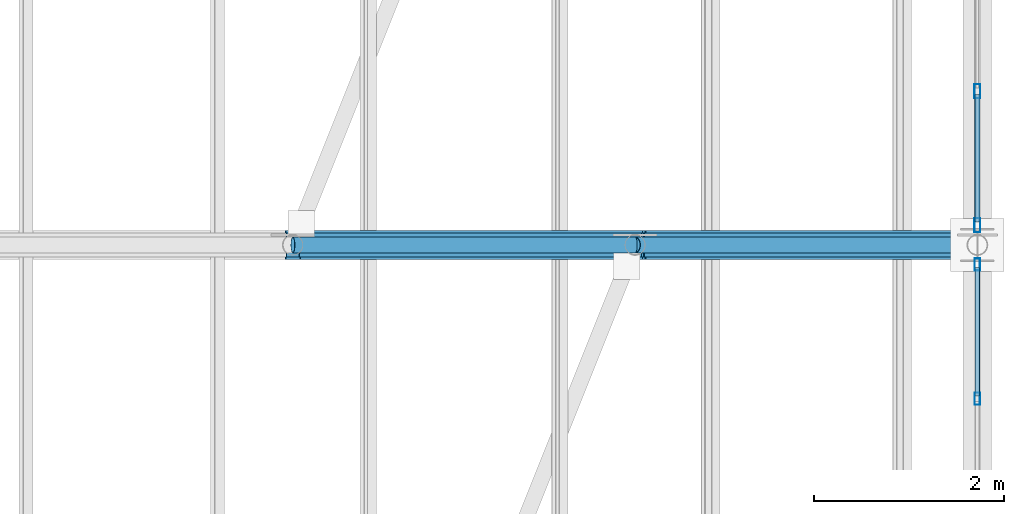
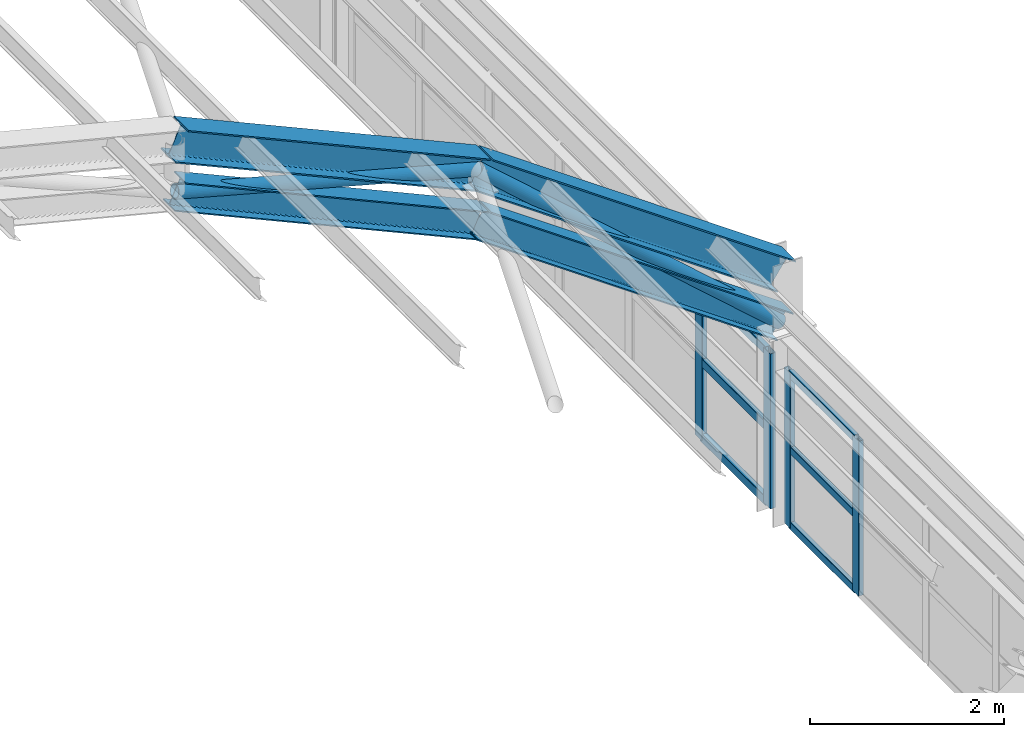
# One storey, part 42 of 121: 14 members, 2 beams, 2 elements without a shape of their own.
"""IFC4 building model written with IfcOpenShell, lengths in metres."""

from ifc_helpers import new_model, si_unit, direction, frame, origin, origin_2d, place, context, subcontext, project, spatial, hollow_rectangle, hollow_circle, i_section, extrude, material, material_profile, profile_set, type_object, element, aggregate, save


model = new_model("IFC4")

# Units and contexts
model_context = context("Model", 3, precision=1e-05, world=origin(), true_north=direction((0.0, 1.0)))
body_context = subcontext(model_context, "Body", "Model", "MODEL_VIEW")
ifc_project = project(units=[si_unit("LENGTHUNIT", "METRE"), si_unit("AREAUNIT", "SQUARE_METRE"), si_unit("VOLUMEUNIT", "CUBIC_METRE"), si_unit("PLANEANGLEUNIT", "RADIAN"), si_unit("MASSUNIT", "GRAM", prefix="KILO")], contexts=[model_context])

# Site, building, storey
site_placement = place(None, origin())
site = spatial("IfcSite", under=ifc_project, at=site_placement, CompositionType="ELEMENT")
building_placement = place(site_placement, origin())
building = spatial("IfcBuilding", under=site, at=building_placement, Name="Canglan Escarpment Cableway Terminal", CompositionType="ELEMENT")
storey_placement = place(building_placement, frame((0.0, 0.0, 24.60009765625)))
storey = spatial("IfcBuildingStorey", under=building, at=storey_placement, Name="L05", CompositionType="ELEMENT", Elevation=24.60009765625)

# Beams
ifc_material_1 = material(Name="Steel Q355B", Category="steel")
ifc_material_profile_1 = material_profile(ifc_material_1, i_section(OverallWidth=0.300048828125, OverallDepth=0.389892578125, WebThickness=0.010009765625, FlangeThickness=0.01611328125, FilletRadius=0.02197265625, at=origin_2d()), Name="HM 390x300x10x16")
ifc_profile_set_1 = profile_set([ifc_material_profile_1], Name="Steel Q355B")
beam_type = type_object("IfcBeamType", Name="BM-ARCH-TOP-HM390", PredefinedType="BEAM", material=ifc_profile_set_1)
beam_1_placement = place(storey_placement, frame((159.199951171875, 61.0, 7.23828125), z_axis=(0.911752518833, 0.0, -0.410739996108), x_axis=(0.0, 1.0, 0.0)))
element("IfcBeam", 1, at=beam_1_placement, inside=storey, type_object=beam_type, Name="Vault ROOF TRUSS arch top chord AR-TC1", PredefinedType="BEAM", context=body_context, shape_type="SweptSolid", body=[
    extrude(i_section(OverallWidth=0.300048828125, OverallDepth=0.389892578125, WebThickness=0.010009765625, FlangeThickness=0.01611328125, FilletRadius=0.02197265625, at=origin_2d()), origin(), (0.0, 0.0, 1.0), 3.948486328125),
])
beam_2_placement = place(storey_placement, frame((162.800048828125, 61.0, 5.616455078125), z_axis=(0.817731009495, 0.0, -0.575600552563), x_axis=(0.0, 1.0, 0.0)))
element("IfcBeam", 2, at=beam_2_placement, inside=storey, type_object=beam_type, Name="Vault ROOF TRUSS arch top chord AR-TC1", PredefinedType="BEAM", context=body_context, shape_type="SweptSolid", body=[
    extrude(i_section(OverallWidth=0.300048828125, OverallDepth=0.389892578125, WebThickness=0.010009765625, FlangeThickness=0.01611328125, FilletRadius=0.02197265625, at=origin_2d()), origin(), (0.0, 0.0, 1.0), 4.40234375),
])

# Curtain wall, members
ifc_material_2 = material(Name="Anodized bronze aluminium and Low-E double glazing", Category="aluminium")
curtain_wall_type = type_object("IfcCurtainWallType", Name="CW-BAY-8650x1950", PredefinedType="NOTDEFINED", material=ifc_material_2)
curtain_wall_1_placement = place(storey_placement, origin())
curtain_wall_1 = element("IfcCurtainWall", 3, at=curtain_wall_1_placement, inside=storey, type_object=curtain_wall_type, Name="Classical bay-between-piers glazed curtain wall CW-66", PredefinedType="NOTDEFINED")
ifc_material_3 = material(Name="Thermally broken anodized aluminium 6063-T6", Category="aluminium")
ifc_material_profile_2 = material_profile(ifc_material_3, hollow_rectangle(XDim=0.06005859375, YDim=0.1298828125, WallThickness=0.0029296875, InnerFilletRadius=0.0029296875, OuterFilletRadius=0.006103515625, at=origin_2d()), Name="ALU-MULL 60x130x3")
ifc_profile_set_2 = profile_set([ifc_material_profile_2], Name="Thermally broken anodized aluminium 6063-T6")
member_type_1 = type_object("IfcMemberType", Name="CWM-01", PredefinedType="MULLION", material=ifc_profile_set_2)
member_1_placement = place(storey_placement, frame((166.39990234375, 59.38330078125, 0.0), z_axis=(0.0, 0.0, 1.0), x_axis=(-1.0, 0.0, 0.0)))
member_1 = element("IfcMember", 4, at=member_1_placement, type_object=member_type_1, Name="CW-66 mullion 6", PredefinedType="MULLION", context=body_context, shape_type="SweptSolid", body=[
    extrude(hollow_rectangle(XDim=0.06005859375, YDim=0.1298828125, WallThickness=0.0029296875, InnerFilletRadius=0.0029296875, OuterFilletRadius=0.006103515625, at=origin_2d()), origin(), (0.0, 0.0, 1.0), 1.949951171875),
])
member_2_placement = place(storey_placement, frame((166.39990234375, 60.794921875, 0.0), z_axis=(0.0, 0.0, 1.0), x_axis=(-1.0, 0.0, 0.0)))
member_2 = element("IfcMember", 5, at=member_2_placement, type_object=member_type_1, Name="CW-66 mullion 7", PredefinedType="MULLION", context=body_context, shape_type="SweptSolid", body=[
    extrude(hollow_rectangle(XDim=0.06005859375, YDim=0.1298828125, WallThickness=0.0029296875, InnerFilletRadius=0.0029296875, OuterFilletRadius=0.006103515625, at=origin_2d()), origin(), (0.0, 0.0, 1.0), 1.949951171875),
])

curtain_wall_2_placement = place(storey_placement, origin())
curtain_wall_2 = element("IfcCurtainWall", 6, at=curtain_wall_2_placement, inside=storey, type_object=curtain_wall_type, Name="Classical bay-between-piers glazed curtain wall CW-66", PredefinedType="NOTDEFINED")
ifc_material_profile_3 = material_profile(ifc_material_3, hollow_rectangle(XDim=0.06494140625, YDim=0.14990234375, WallThickness=0.00341796875, InnerFilletRadius=0.00341796875, OuterFilletRadius=0.007080078125, at=origin_2d()), Name="ALU-MULL 65x150x3.5")
ifc_profile_set_3 = profile_set([ifc_material_profile_3], Name="Thermally broken anodized aluminium 6063-T6")
member_type_2 = type_object("IfcMemberType", Name="CWM-02", PredefinedType="MULLION", material=ifc_profile_set_3)
member_3_placement = place(storey_placement, frame((166.39990234375, 61.20751953125, 0.0), z_axis=(0.0, 0.0, 1.0), x_axis=(-1.0, 0.0, 0.0)))
member_3 = element("IfcMember", 7, at=member_3_placement, type_object=member_type_2, Name="CW-66 mullion 1", PredefinedType="MULLION", context=body_context, shape_type="SweptSolid", body=[
    extrude(hollow_rectangle(XDim=0.06494140625, YDim=0.14990234375, WallThickness=0.00341796875, InnerFilletRadius=0.00341796875, OuterFilletRadius=0.007080078125, at=origin_2d()), origin(), (0.0, 0.0, 1.0), 1.949951171875),
])
member_4_placement = place(storey_placement, frame((166.39990234375, 62.61669921875, 0.0), z_axis=(0.0, 0.0, 1.0), x_axis=(-1.0, 0.0, 0.0)))
member_4 = element("IfcMember", 8, at=member_4_placement, type_object=member_type_2, Name="CW-66 mullion 2", PredefinedType="MULLION", context=body_context, shape_type="SweptSolid", body=[
    extrude(hollow_rectangle(XDim=0.06494140625, YDim=0.14990234375, WallThickness=0.00341796875, InnerFilletRadius=0.00341796875, OuterFilletRadius=0.007080078125, at=origin_2d()), origin(), (0.0, 0.0, 1.0), 1.949951171875),
])

# Member
ifc_material_profile_4 = material_profile(ifc_material_3, hollow_rectangle(XDim=0.054931640625, YDim=0.094970703125, WallThickness=0.0029296875, InnerFilletRadius=0.0029296875, OuterFilletRadius=0.006103515625, at=origin_2d()), Name="ALU-TRAN 55x95x3")
ifc_profile_set_4 = profile_set([ifc_material_profile_4], Name="Thermally broken anodized aluminium 6063-T6")
member_type_3 = type_object("IfcMemberType", Name="CWT-01", PredefinedType="USERDEFINED", material=ifc_profile_set_4)
member_5_placement = place(storey_placement, frame((166.39990234375, 59.413330078125, 0.02734375), z_axis=(0.0, 1.0, 0.0), x_axis=(-1.0, 0.0, 0.0)))
member_5 = element("IfcMember", 9, at=member_5_placement, type_object=member_type_3, Name="CW-66 transom 6.1", ObjectType="TRANSOM", PredefinedType="USERDEFINED", context=body_context, shape_type="SweptSolid", body=[
    extrude(hollow_rectangle(XDim=0.054931640625, YDim=0.094970703125, WallThickness=0.0029296875, InnerFilletRadius=0.0029296875, OuterFilletRadius=0.006103515625, at=origin_2d()), origin(), (0.0, 0.0, 1.0), 1.3515625),
])

member_6_placement = place(storey_placement, frame((166.39990234375, 59.413330078125, 0.974853515625), z_axis=(0.0, 1.0, 0.0), x_axis=(-1.0, 0.0, 0.0)))
member_6 = element("IfcMember", 10, at=member_6_placement, type_object=member_type_3, Name="CW-66 transom 6.2", ObjectType="TRANSOM", PredefinedType="USERDEFINED", context=body_context, shape_type="SweptSolid", body=[
    extrude(hollow_rectangle(XDim=0.054931640625, YDim=0.094970703125, WallThickness=0.0029296875, InnerFilletRadius=0.0029296875, OuterFilletRadius=0.006103515625, at=origin_2d()), origin(), (0.0, 0.0, 1.0), 1.3515625),
])

member_7_placement = place(storey_placement, frame((166.39990234375, 59.413330078125, 1.92236328125), z_axis=(0.0, 1.0, 0.0), x_axis=(-1.0, 0.0, 0.0)))
member_7 = element("IfcMember", 11, at=member_7_placement, type_object=member_type_3, Name="CW-66 transom 6.3", ObjectType="TRANSOM", PredefinedType="USERDEFINED", context=body_context, shape_type="SweptSolid", body=[
    extrude(hollow_rectangle(XDim=0.054931640625, YDim=0.094970703125, WallThickness=0.0029296875, InnerFilletRadius=0.0029296875, OuterFilletRadius=0.006103515625, at=origin_2d()), origin(), (0.0, 0.0, 1.0), 1.3515625),
])

aggregate(curtain_wall_1, [member_1, member_2, member_5, member_6, member_7])

ifc_material_profile_5 = material_profile(ifc_material_3, hollow_rectangle(XDim=0.06005859375, YDim=0.110107421875, WallThickness=0.0029296875, InnerFilletRadius=0.0029296875, OuterFilletRadius=0.006103515625, at=origin_2d()), Name="ALU-TRAN 60x110x3")
ifc_profile_set_5 = profile_set([ifc_material_profile_5], Name="Thermally broken anodized aluminium 6063-T6")
member_type_4 = type_object("IfcMemberType", Name="CWT-02", PredefinedType="USERDEFINED", material=ifc_profile_set_5)
member_8_placement = place(storey_placement, frame((166.39990234375, 61.239990234375, 0.02978515625), z_axis=(0.0, 1.0, 0.0), x_axis=(-1.0, 0.0, 0.0)))
member_8 = element("IfcMember", 12, at=member_8_placement, type_object=member_type_4, Name="CW-66 transom 1.1", ObjectType="TRANSOM", PredefinedType="USERDEFINED", context=body_context, shape_type="SweptSolid", body=[
    extrude(hollow_rectangle(XDim=0.06005859375, YDim=0.110107421875, WallThickness=0.0029296875, InnerFilletRadius=0.0029296875, OuterFilletRadius=0.006103515625, at=origin_2d()), origin(), (0.0, 0.0, 1.0), 1.34423828125),
])

member_9_placement = place(storey_placement, frame((166.39990234375, 61.239990234375, 0.974853515625), z_axis=(0.0, 1.0, 0.0), x_axis=(-1.0, 0.0, 0.0)))
member_9 = element("IfcMember", 13, at=member_9_placement, type_object=member_type_4, Name="CW-66 transom 1.2", ObjectType="TRANSOM", PredefinedType="USERDEFINED", context=body_context, shape_type="SweptSolid", body=[
    extrude(hollow_rectangle(XDim=0.06005859375, YDim=0.110107421875, WallThickness=0.0029296875, InnerFilletRadius=0.0029296875, OuterFilletRadius=0.006103515625, at=origin_2d()), origin(), (0.0, 0.0, 1.0), 1.34423828125),
])

member_10_placement = place(storey_placement, frame((166.39990234375, 61.239990234375, 1.919921875), z_axis=(0.0, 1.0, 0.0), x_axis=(-1.0, 0.0, 0.0)))
member_10 = element("IfcMember", 14, at=member_10_placement, type_object=member_type_4, Name="CW-66 transom 1.3", ObjectType="TRANSOM", PredefinedType="USERDEFINED", context=body_context, shape_type="SweptSolid", body=[
    extrude(hollow_rectangle(XDim=0.06005859375, YDim=0.110107421875, WallThickness=0.0029296875, InnerFilletRadius=0.0029296875, OuterFilletRadius=0.006103515625, at=origin_2d()), origin(), (0.0, 0.0, 1.0), 1.34423828125),
])

aggregate(curtain_wall_2, [member_3, member_4, member_8, member_9, member_10])

# Members
ifc_material_profile_6 = material_profile(ifc_material_1, i_section(OverallWidth=0.25, OverallDepth=0.340087890625, WebThickness=0.009033203125, FlangeThickness=0.013916015625, FilletRadius=0.02001953125, at=origin_2d()), Name="HM 340x250x9x14")
ifc_profile_set_6 = profile_set([ifc_material_profile_6], Name="Steel Q355B")
member_type_5 = type_object("IfcMemberType", Name="MB-ARCH-BOT-HM340", PredefinedType="CHORD", material=ifc_profile_set_6)
member_11_placement = place(storey_placement, frame((159.199951171875, 61.0, 6.58837890625), z_axis=(0.911752518833, 0.0, -0.410739996108), x_axis=(0.0, 1.0, 0.0)))
element("IfcMember", 15, at=member_11_placement, inside=storey, type_object=member_type_5, Name="Vault ROOF TRUSS arch bottom chord AR-BC1", PredefinedType="CHORD", context=body_context, shape_type="SweptSolid", body=[
    extrude(i_section(OverallWidth=0.25, OverallDepth=0.340087890625, WebThickness=0.009033203125, FlangeThickness=0.013916015625, FilletRadius=0.02001953125, at=origin_2d()), origin(), (0.0, 0.0, 1.0), 3.948486328125),
])
member_12_placement = place(storey_placement, frame((162.800048828125, 61.0, 4.966552734375), z_axis=(0.81770490607, 0.0, -0.575637634792), x_axis=(0.0, 1.0, 0.0)))
element("IfcMember", 16, at=member_12_placement, inside=storey, type_object=member_type_5, Name="Vault ROOF TRUSS arch bottom chord AR-BC1", PredefinedType="CHORD", context=body_context, shape_type="SweptSolid", body=[
    extrude(i_section(OverallWidth=0.25, OverallDepth=0.340087890625, WebThickness=0.009033203125, FlangeThickness=0.013916015625, FilletRadius=0.02001953125, at=origin_2d()), origin(), (0.0, 0.0, 1.0), 4.40234375),
])
ifc_material_profile_7 = material_profile(ifc_material_1, hollow_circle(Radius=0.084228515625, WallThickness=0.006103515625, at=origin_2d()), Name="CHS 168.3x6")
ifc_profile_set_7 = profile_set([ifc_material_profile_7], Name="Steel Q355B")
member_type_6 = type_object("IfcMemberType", Name="MB-ARCH-DIAG-CHS168", PredefinedType="BRACE", material=ifc_profile_set_7)
member_13_placement = place(storey_placement, frame((159.199951171875, 61.0, 6.58837890625), z_axis=(0.96543600217, 0.0, -0.260640222748), x_axis=(0.0, 1.0, 0.0)))
element("IfcMember", 17, at=member_13_placement, inside=storey, type_object=member_type_6, Name="Vault ROOF TRUSS web diagonal AR-DG1", PredefinedType="BRACE", context=body_context, shape_type="SweptSolid", body=[
    extrude(hollow_circle(Radius=0.084228515625, WallThickness=0.006103515625, at=origin_2d()), origin(), (0.0, 0.0, 1.0), 3.72900390625),
])
member_14_placement = place(storey_placement, frame((162.800048828125, 61.0, 5.616455078125), z_axis=(0.749038254518, 0.0, -0.662526749096), x_axis=(0.0, 1.0, 0.0)))
element("IfcMember", 18, at=member_14_placement, inside=storey, type_object=member_type_6, Name="Vault ROOF TRUSS web diagonal AR-DG1", PredefinedType="BRACE", context=body_context, shape_type="SweptSolid", body=[
    extrude(hollow_circle(Radius=0.084228515625, WallThickness=0.006103515625, at=origin_2d()), origin(), (0.0, 0.0, 1.0), 4.805908203125),
])

save(model, "model.ifc")
